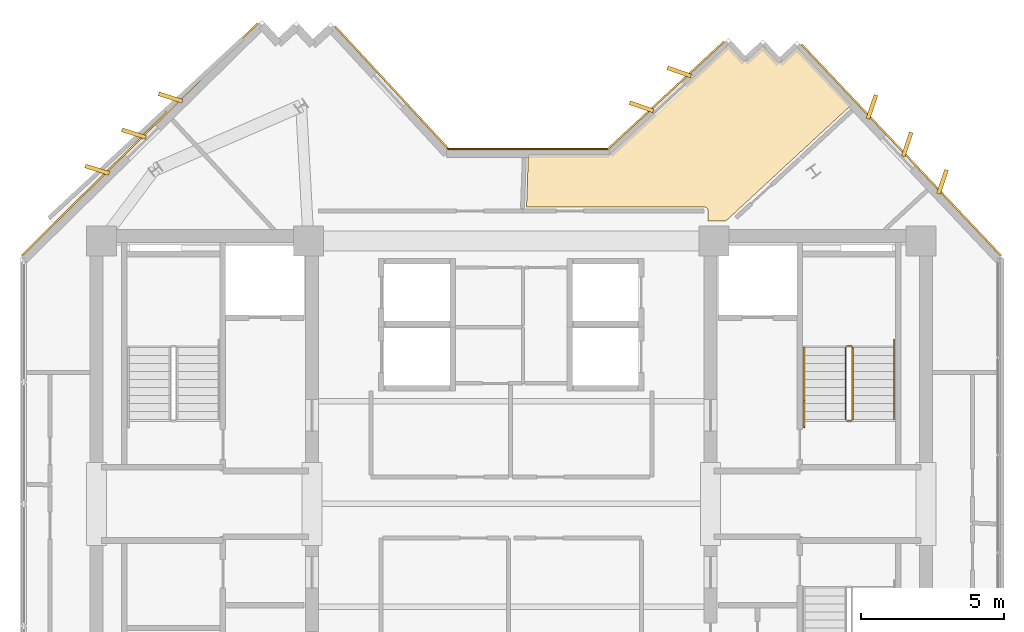
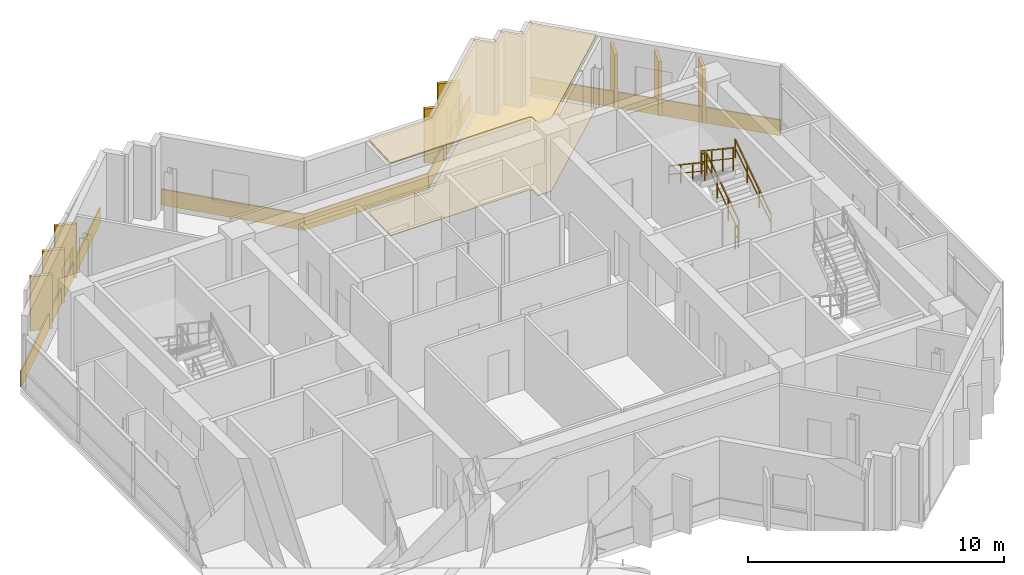
# One storey, part 9 of 9: 15 coverings, 6 railings.
"""IFC4 building model written with IfcOpenShell, lengths in metres."""

from ifc_helpers import new_model, si_unit, direction, frame, origin, origin_2d, place, context, subcontext, project, spatial, polyline, rectangle, outline, extrude, source, transform, mapped, material, layer, layer_set, type_object, element, save


model = new_model("IFC4")

# Units and contexts
model_context = context("Model", 3, precision=1e-05, world=origin(), true_north=direction((0.0, 1.0)))
body_context = subcontext(model_context, "Body", "Model", "MODEL_VIEW")
ifc_project = project(units=[si_unit("LENGTHUNIT", "METRE"), si_unit("AREAUNIT", "SQUARE_METRE"), si_unit("VOLUMEUNIT", "CUBIC_METRE"), si_unit("PLANEANGLEUNIT", "RADIAN"), si_unit("MASSUNIT", "GRAM", prefix="KILO")], contexts=[model_context])

# Site, building, storey
site_placement = place(None, origin())
site = spatial("IfcSite", under=ifc_project, at=site_placement, CompositionType="ELEMENT")
building_placement = place(site_placement, origin())
building = spatial("IfcBuilding", under=site, at=building_placement, Name="Zahravan Cultural Tower", CompositionType="ELEMENT")
storey_placement = place(building_placement, frame((0.0, 0.0, 295.35009765625)))
storey = spatial("IfcBuildingStorey", under=building, at=storey_placement, Name="L71", CompositionType="ELEMENT", Elevation=295.35009765625)

# Coverings
ifc_material_1 = material(Name="Acoustic mineral fibreboard")
ifc_layer_1 = layer(ifc_material_1, 0.0400390625)
ifc_layer_set_1 = layer_set([ifc_layer_1], Name="Acoustic mineral fibreboard")
covering_type_1 = type_object("IfcCoveringType", Name="COV-CEIL-AC20", PredefinedType="CEILING", material=ifc_layer_set_1)
covering_1_placement = place(storey_placement, frame((0.0, 0.0, 3.4599609375)))
element("IfcCovering", 1, at=covering_1_placement, inside=storey, type_object=covering_type_1, Name="L71 Acoustic Suspended Ceiling", PredefinedType="CEILING", context=body_context, shape_type="SweptSolid", body=[
    extrude(outline(polyline([(46.0068359375, 42.984619140625), (45.492919921875, 42.509521484375), (45.4326171875, 42.476318359375), (45.353515625, 42.4755859375), (45.2890625, 42.50927734375), (44.8056640625, 43.031494140625), (44.293212890625, 42.5576171875), (44.246337890625, 42.52880859375), (44.184326171875, 42.51904296875), (44.122802734375, 42.53369140625), (44.078125, 42.566162109375), (43.6044921875, 43.078369140625), (39.4951171875, 39.277587890625), (39.450927734375, 39.249755859375), (39.3994140625, 39.239990234375), (36.59814453125, 39.239990234375), (36.53515625, 37.39990234375), (42.77392578125, 37.399658203125), (42.8525390625, 37.362548828125), (42.8896484375, 37.283935546875), (42.889892578125, 36.89990234375), (43.5078125, 36.89990234375), (47.8876953125, 40.951171875), (46.0068359375, 42.984619140625)])), origin(), (0.0, 0.0, 1.0), 0.0400390625),
])
ifc_material_2 = material(Name="Terrazzo flooring")
ifc_layer_2 = layer(ifc_material_2, 0.02490234375)
ifc_layer_set_2 = layer_set([ifc_layer_2], Name="Terrazzo flooring")
covering_type_2 = type_object("IfcCoveringType", Name="COV-FLR-TZ25", PredefinedType="FLOORING", material=ifc_layer_set_2)
covering_2_placement = place(storey_placement, origin())
element("IfcCovering", 2, at=covering_2_placement, inside=storey, type_object=covering_type_2, Name="L71 Polished Terrazzo Flooring", PredefinedType="FLOORING", context=body_context, shape_type="SweptSolid", body=[
    extrude(outline(polyline([(46.0068359375, 42.984619140625), (45.492919921875, 42.509521484375), (45.4326171875, 42.476318359375), (45.353515625, 42.4755859375), (45.2890625, 42.50927734375), (44.8056640625, 43.031494140625), (44.293212890625, 42.5576171875), (44.246337890625, 42.52880859375), (44.184326171875, 42.51904296875), (44.122802734375, 42.53369140625), (44.078125, 42.566162109375), (43.6044921875, 43.078369140625), (39.4951171875, 39.277587890625), (39.450927734375, 39.249755859375), (39.3994140625, 39.239990234375), (36.59814453125, 39.239990234375), (36.53515625, 37.39990234375), (42.77392578125, 37.399658203125), (42.8525390625, 37.362548828125), (42.8896484375, 37.283935546875), (42.889892578125, 36.89990234375), (43.5078125, 36.89990234375), (47.8876953125, 40.951171875), (46.0068359375, 42.984619140625)])), origin(), (0.0, 0.0, 1.0), 0.02490234375),
])

# Railings
ifc_material_3 = material(Name="Steel ASTM A572 Grade 50", Category="steel")
railing_type_1 = type_object("IfcRailingType", Name="RL-STAIR-GRD1150", PredefinedType="BALUSTRADE", material=ifc_material_3)
railing_1_placement = place(storey_placement, frame((47.949951171875, 29.949951171875, 0.1875)))
element("IfcRailing", 3, at=railing_1_placement, inside=storey, type_object=railing_type_1, Name="L71 ST-E1 stair guard 1", PredefinedType="BALUSTRADE", context=body_context, shape_type="SweptSolid", body=[
    extrude(rectangle(XDim=0.05, YDim=0.05, at=origin_2d()), frame((0.0, 0.0, 1.0751953125), z_axis=(0.0, 0.830909170722, 0.55640807867), x_axis=(-1.0, 0.0, 0.0)), (0.0, 0.0, 1.0), 3.032958984375),
    extrude(rectangle(XDim=0.032, YDim=0.032, at=origin_2d()), frame((0.0, 0.0, 0.572021484375), z_axis=(0.0, 0.830909170722, 0.55640807867), x_axis=(-1.0, 0.0, 0.0)), (0.0, 0.0, 1.0), 3.032958984375),
    extrude(rectangle(XDim=0.04, YDim=0.04, at=origin_2d()), origin(), (0.0, 0.0, 1.0), 1.10009765625),
    extrude(rectangle(XDim=0.04, YDim=0.04, at=origin_2d()), frame((0.0, 0.840087890625, 0.5625)), (0.0, 0.0, 1.0), 1.10009765625),
    extrude(rectangle(XDim=0.04, YDim=0.04, at=origin_2d()), frame((0.0, 1.679931640625, 1.125)), (0.0, 0.0, 1.0), 1.10009765625),
    extrude(rectangle(XDim=0.04, YDim=0.04, at=origin_2d()), frame((0.0, 2.52001953125, 1.6875)), (0.0, 0.0, 1.0), 1.10009765625),
])
railing_2_placement = place(storey_placement, frame((47.89990234375, 32.52001953125, 1.875)))
element("IfcRailing", 4, at=railing_2_placement, inside=storey, type_object=railing_type_1, Name="L71 ST-E1 stair guard 2", PredefinedType="BALUSTRADE", context=body_context, shape_type="SweptSolid", body=[
    extrude(rectangle(XDim=0.05, YDim=0.05, at=origin_2d()), frame((0.0, 0.0, 1.0751953125), z_axis=(-1.0, 0.0, 0.0), x_axis=(0.0, -1.0, 0.0)), (0.0, 0.0, 1.0), 0.14990234375),
    extrude(rectangle(XDim=0.032, YDim=0.032, at=origin_2d()), frame((0.0, 0.0, 0.572021484375), z_axis=(-1.0, 0.0, 0.0), x_axis=(0.0, -1.0, 0.0)), (0.0, 0.0, 1.0), 0.14990234375),
    extrude(rectangle(XDim=0.04, YDim=0.04, at=origin_2d()), origin(), (0.0, 0.0, 1.0), 1.10009765625),
    extrude(rectangle(XDim=0.04, YDim=0.04, at=origin_2d()), frame((-0.14990234375, 0.0, 0.0)), (0.0, 0.0, 1.0), 1.10009765625),
])
railing_3_placement = place(storey_placement, frame((47.699951171875, 32.469970703125, 2.0625)))
element("IfcRailing", 5, at=railing_3_placement, inside=storey, type_object=railing_type_1, Name="L71 ST-E1 stair guard 3", PredefinedType="BALUSTRADE", context=body_context, shape_type="SweptSolid", body=[
    extrude(rectangle(XDim=0.05, YDim=0.05, at=origin_2d()), frame((0.0, 0.0, 1.0751953125), z_axis=(0.0, -0.830909170722, 0.55640807867), x_axis=(1.0, 0.0, 0.0)), (0.0, 0.0, 1.0), 3.032958984375),
    extrude(rectangle(XDim=0.032, YDim=0.032, at=origin_2d()), frame((0.0, 0.0, 0.572021484375), z_axis=(0.0, -0.830909170722, 0.55640807867), x_axis=(1.0, 0.0, 0.0)), (0.0, 0.0, 1.0), 3.032958984375),
    extrude(rectangle(XDim=0.04, YDim=0.04, at=origin_2d()), origin(), (0.0, 0.0, 1.0), 1.10009765625),
    extrude(rectangle(XDim=0.04, YDim=0.04, at=origin_2d()), frame((0.0, -0.840087890625, 0.5625)), (0.0, 0.0, 1.0), 1.10009765625),
    extrude(rectangle(XDim=0.04, YDim=0.04, at=origin_2d()), frame((0.0, -1.679931640625, 1.125)), (0.0, 0.0, 1.0), 1.10009765625),
    extrude(rectangle(XDim=0.04, YDim=0.04, at=origin_2d()), frame((0.0, -2.52001953125, 1.6875)), (0.0, 0.0, 1.0), 1.10009765625),
])
railing_4_placement = place(storey_placement, frame((47.89990234375, 29.89990234375, 0.0)))
element("IfcRailing", 6, at=railing_4_placement, inside=storey, type_object=railing_type_1, Name="L71 ST-E1 stair guard 4", PredefinedType="BALUSTRADE", context=body_context, shape_type="SweptSolid", body=[
    extrude(rectangle(XDim=0.05, YDim=0.05, at=origin_2d()), frame((0.0, 0.0, 1.0751953125), z_axis=(-1.0, 0.0, 0.0), x_axis=(0.0, -1.0, 0.0)), (0.0, 0.0, 1.0), 0.14990234375),
    extrude(rectangle(XDim=0.032, YDim=0.032, at=origin_2d()), frame((0.0, 0.0, 0.572021484375), z_axis=(-1.0, 0.0, 0.0), x_axis=(0.0, -1.0, 0.0)), (0.0, 0.0, 1.0), 0.14990234375),
    extrude(rectangle(XDim=0.04, YDim=0.04, at=origin_2d()), origin(), (0.0, 0.0, 1.0), 1.10009765625),
    extrude(rectangle(XDim=0.04, YDim=0.04, at=origin_2d()), frame((-0.14990234375, 0.0, 0.0)), (0.0, 0.0, 1.0), 1.10009765625),
])
railing_type_2 = type_object("IfcRailingType", Name="RL-STAIR-HR900", PredefinedType="HANDRAIL", material=ifc_material_3)
railing_5_placement = place(storey_placement, frame((49.39990234375, 29.949951171875, 0.1875)))
element("IfcRailing", 7, at=railing_5_placement, inside=storey, type_object=railing_type_2, Name="L71 ST-E1 stair handrail 1", PredefinedType="HANDRAIL", context=body_context, shape_type="SweptSolid", body=[
    extrude(rectangle(XDim=0.05, YDim=0.05, at=origin_2d()), frame((0.0, 0.0, 0.875), z_axis=(0.0, 0.830911662861, 0.55640435703), x_axis=(-1.0, 0.0, 0.0)), (0.0, 0.0, 1.0), 3.369873046875),
    extrude(rectangle(XDim=0.032, YDim=0.032, at=origin_2d()), frame((0.0, 0.0, 0.468017578125), z_axis=(0.0, 0.830911662861, 0.55640435703), x_axis=(-1.0, 0.0, 0.0)), (0.0, 0.0, 1.0), 3.369873046875),
    extrude(rectangle(XDim=0.04, YDim=0.04, at=origin_2d()), origin(), (0.0, 0.0, 1.0), 0.89990234375),
    extrude(rectangle(XDim=0.04, YDim=0.04, at=origin_2d()), frame((0.0, 0.933349609375, 0.625)), (0.0, 0.0, 1.0), 0.89990234375),
    extrude(rectangle(XDim=0.04, YDim=0.04, at=origin_2d()), frame((0.0, 1.86669921875, 1.25)), (0.0, 0.0, 1.0), 0.89990234375),
    extrude(rectangle(XDim=0.04, YDim=0.04, at=origin_2d()), frame((0.0, 2.800048828125, 1.875)), (0.0, 0.0, 1.0), 0.89990234375),
])
railing_6_placement = place(storey_placement, frame((46.25, 32.469970703125, 2.0625)))
element("IfcRailing", 8, at=railing_6_placement, inside=storey, type_object=railing_type_2, Name="L71 ST-E1 stair handrail 2", PredefinedType="HANDRAIL", context=body_context, shape_type="SweptSolid", body=[
    extrude(rectangle(XDim=0.05, YDim=0.05, at=origin_2d()), frame((0.0, 0.0, 0.875), z_axis=(0.0, -0.830911662861, 0.55640435703), x_axis=(1.0, 0.0, 0.0)), (0.0, 0.0, 1.0), 3.369873046875),
    extrude(rectangle(XDim=0.032, YDim=0.032, at=origin_2d()), frame((0.0, 0.0, 0.468017578125), z_axis=(0.0, -0.830911662861, 0.55640435703), x_axis=(1.0, 0.0, 0.0)), (0.0, 0.0, 1.0), 3.369873046875),
    extrude(rectangle(XDim=0.04, YDim=0.04, at=origin_2d()), origin(), (0.0, 0.0, 1.0), 0.89990234375),
    extrude(rectangle(XDim=0.04, YDim=0.04, at=origin_2d()), frame((0.0, -0.933349609375, 0.625)), (0.0, 0.0, 1.0), 0.89990234375),
    extrude(rectangle(XDim=0.04, YDim=0.04, at=origin_2d()), frame((0.0, -1.86669921875, 1.25)), (0.0, 0.0, 1.0), 0.89990234375),
    extrude(rectangle(XDim=0.04, YDim=0.04, at=origin_2d()), frame((0.0, -2.800048828125, 1.875)), (0.0, 0.0, 1.0), 0.89990234375),
])

# Coverings
ifc_material_4 = material(Name="Terracotta ceramic cladding", Category="masonry")
ifc_layer_3 = layer(ifc_material_4, 0.06005859375)
ifc_layer_set_3 = layer_set([ifc_layer_3], Name="Terracotta ceramic cladding")
covering_type_3 = type_object("IfcCoveringType", Name="COV-CLAD-TC60", PredefinedType="CLADDING", material=ifc_layer_set_3)
shared_shape_1 = source(origin(), body_context, "Body", "SweptSolid", [
    extrude(rectangle(XDim=0.8798828125, YDim=0.139892578125, at=origin_2d()), origin(), (0.0, 0.0, 1.0), 2.580078125),
])
for number, where, z_axis, x_axis, name in (
    (9, (40.559814453125, 40.902587890625, 0.0498046875), (0.0, 0.0, 1.0), (-0.944186800019, 0.329410513904, 0.0), "L71 Herringbone Terracotta Fin 01"),
    (10, (41.88134765625, 42.124755859375, 0.0498046875), (0.0, 0.0, 1.0), (-0.944186800019, 0.329410513904, 0.0), "L71 Herringbone Terracotta Fin 02"),
    (11, (48.62548828125, 40.895263671875, 0.0498046875), (0.0, 0.0, 1.0), (0.319819345143, 0.947478541431, 0.0), "L71 Herringbone Terracotta Fin 03"),
    (12, (49.861083984375, 39.586181640625, 0.0498046875), (0.0, 0.0, 1.0), (0.319819345143, 0.947478541431, 0.0), "L71 Herringbone Terracotta Fin 04"),
    (13, (51.0966796875, 38.27734375, 0.0498046875), (0.0, 0.0, 1.0), (0.319819345143, 0.947478541431, 0.0), "L71 Herringbone Terracotta Fin 05"),
    (14, (21.506591796875, 38.70068359375, 0.0498046875), (0.0, 0.0, 1.0), (-0.954015632209, 0.299756857304, 0.0), "L71 Herringbone Terracotta Fin 16"),
    (15, (22.7890625, 39.96337890625, 0.0498046875), (0.0, 0.0, 1.0), (-0.954015632209, 0.299756857304, 0.0), "L71 Herringbone Terracotta Fin 17"),
    (16, (24.07177734375, 41.226318359375, 0.0498046875), (0.0, 0.0, 1.0), (-0.954015632209, 0.299756857304, 0.0), "L71 Herringbone Terracotta Fin 18"),
):
    element("IfcCovering", number, at=place(storey_placement, frame(where, z_axis=z_axis, x_axis=x_axis)), inside=storey, type_object=covering_type_3, Name=name, PredefinedType="CLADDING", context=body_context, shape_type="MappedRepresentation", body=[
        mapped(shared_shape_1, transform((0.0, 0.0, 0.0), x_axis=(1.0, 0.0, 0.0), y_axis=(0.0, 1.0, 0.0), z_axis=(0.0, 0.0, 1.0), scale=1.0)),
    ])
shared_shape_2 = source(origin(), body_context, "Body", "SweptSolid", [
    extrude(rectangle(XDim=5.56494140625, YDim=0.06005859375, at=origin_2d()), origin(), (0.0, 0.0, 1.0), 0.760009765625),
])
covering_3_placement = place(storey_placement, frame((41.4140625, 41.304443359375, 0.02001953125), z_axis=(0.0, 0.0, 1.0), x_axis=(0.73412107288, 0.679018593525, 0.0)))
element("IfcCovering", 17, at=covering_3_placement, inside=storey, type_object=covering_type_3, Name="L71 Terracotta Spandrel Cladding 01", PredefinedType="CLADDING", context=body_context, shape_type="MappedRepresentation", body=[
    mapped(shared_shape_2, transform((0.0, 0.0, 0.0), x_axis=(1.0, 0.0, 0.0), y_axis=(0.0, 1.0, 0.0), z_axis=(0.0, 0.0, 1.0), scale=1.0)),
])
shared_shape_3 = source(origin(), body_context, "Body", "SweptSolid", [
    extrude(rectangle(XDim=10.173583984375, YDim=0.06005859375, at=origin_2d()), origin(), (0.0, 0.0, 1.0), 0.760009765625),
])
covering_4_placement = place(storey_placement, frame((49.65380859375, 39.390625, 0.02001953125), z_axis=(0.0, 0.0, 1.0), x_axis=(0.686427809669, -0.727197952495, 0.0)))
element("IfcCovering", 18, at=covering_4_placement, inside=storey, type_object=covering_type_3, Name="L71 Terracotta Spandrel Cladding 06", PredefinedType="CLADDING", context=body_context, shape_type="MappedRepresentation", body=[
    mapped(shared_shape_3, transform((0.0, 0.0, 0.0), x_axis=(1.0, 0.0, 0.0), y_axis=(0.0, 1.0, 0.0), z_axis=(0.0, 0.0, 1.0), scale=1.0)),
])
shared_shape_4 = source(origin(), body_context, "Body", "SweptSolid", [
    extrude(rectangle(XDim=11.589599609375, YDim=0.06005859375, at=origin_2d()), origin(), (0.0, 0.0, 1.0), 0.760009765625),
])
covering_5_placement = place(storey_placement, frame((22.989013671875, 39.760498046875, 0.02001953125), z_axis=(0.0, 0.0, 1.0), x_axis=(0.712552805375, 0.701618485755, 0.0)))
element("IfcCovering", 19, at=covering_5_placement, inside=storey, type_object=covering_type_3, Name="L71 Terracotta Spandrel Cladding 20", PredefinedType="CLADDING", context=body_context, shape_type="MappedRepresentation", body=[
    mapped(shared_shape_4, transform((0.0, 0.0, 0.0), x_axis=(1.0, 0.0, 0.0), y_axis=(0.0, 1.0, 0.0), z_axis=(0.0, 0.0, 1.0), scale=1.0)),
])
shared_shape_5 = source(origin(), body_context, "Body", "SweptSolid", [
    extrude(rectangle(XDim=5.8798828125, YDim=0.06005859375, at=origin_2d()), origin(), (0.0, 0.0, 1.0), 0.760009765625),
])
covering_6_placement = place(storey_placement, frame((31.8232421875, 41.56689453125, 0.02001953125), z_axis=(0.0, 0.0, 1.0), x_axis=(0.679005780592, -0.734132923879, 0.0)))
element("IfcCovering", 20, at=covering_6_placement, inside=storey, type_object=covering_type_3, Name="L71 Terracotta Spandrel Cladding 25", PredefinedType="CLADDING", context=body_context, shape_type="MappedRepresentation", body=[
    mapped(shared_shape_5, transform((0.0, 0.0, 0.0), x_axis=(1.0, 0.0, 0.0), y_axis=(0.0, 1.0, 0.0), z_axis=(0.0, 0.0, 1.0), scale=1.0)),
])
shared_shape_6 = source(origin(), body_context, "Body", "SweptSolid", [
    extrude(rectangle(XDim=5.614501953125, YDim=0.06005859375, at=origin_2d()), origin(), (0.0, 0.0, 1.0), 0.760009765625),
])
covering_7_placement = place(storey_placement, frame((36.589599609375, 39.425048828125, 0.02001953125), z_axis=(0.0, 0.0, 1.0), x_axis=(1.0, 0.0, 0.0)))
element("IfcCovering", 21, at=covering_7_placement, inside=storey, type_object=covering_type_3, Name="L71 Terracotta Spandrel Cladding 26", PredefinedType="CLADDING", context=body_context, shape_type="MappedRepresentation", body=[
    mapped(shared_shape_6, transform((0.0, 0.0, 0.0), x_axis=(1.0, 0.0, 0.0), y_axis=(0.0, 1.0, 0.0), z_axis=(0.0, 0.0, 1.0), scale=1.0)),
])

save(model, "model.ifc")
